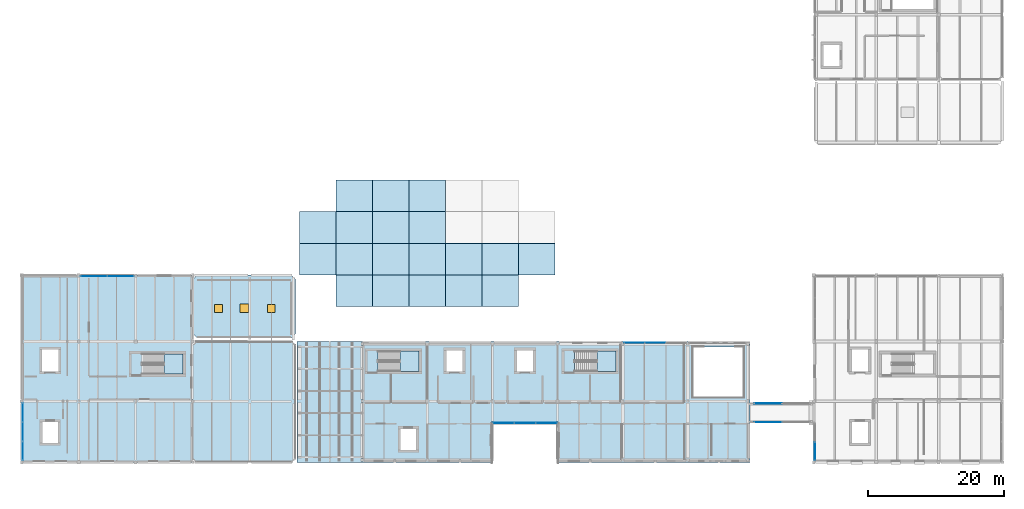
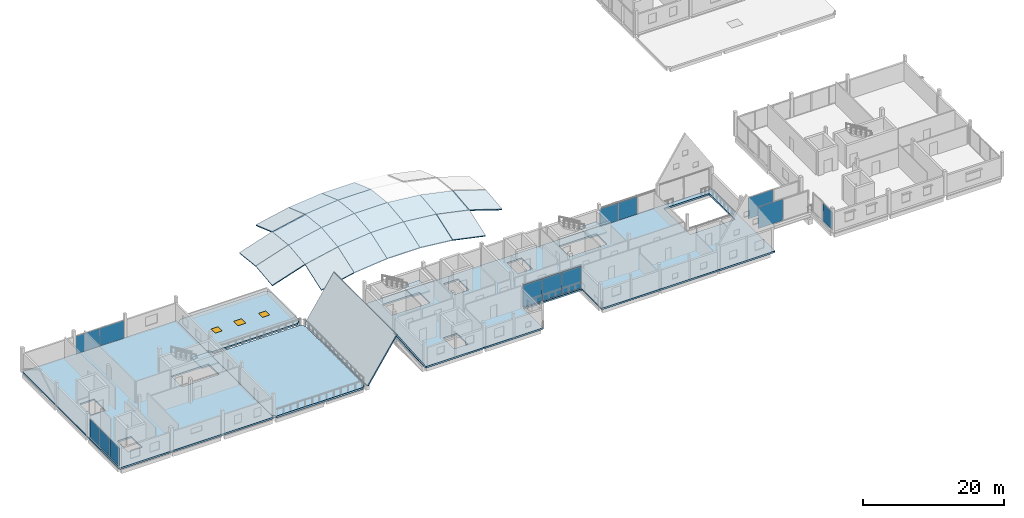
# One storey, part 15 of 35: 28 slabs, 13 plates, 3 windows, 3 openings, 12 elements without a shape of their own.
"""IFC4 building model written with IfcOpenShell, lengths in metres."""

from ifc_helpers import new_model, si_unit, direction, frame, origin, origin_2d, place, context, subcontext, project, spatial, polyline, rectangle, outline, extrude, material, layer, layer_set, type_object, element, fill, aggregate, save


model = new_model("IFC4")

# Units and contexts
model_context = context("Model", 3, precision=1e-05, world=origin(), true_north=direction((0.0, 1.0)))
body_context = subcontext(model_context, "Body", "Model", "MODEL_VIEW")
ifc_project = project(units=[si_unit("LENGTHUNIT", "METRE"), si_unit("AREAUNIT", "SQUARE_METRE"), si_unit("VOLUMEUNIT", "CUBIC_METRE"), si_unit("PLANEANGLEUNIT", "RADIAN"), si_unit("MASSUNIT", "GRAM", prefix="KILO")], contexts=[model_context])

# Site, building, storey
site_placement = place(None, origin())
site = spatial("IfcSite", under=ifc_project, at=site_placement, CompositionType="ELEMENT")
building_placement = place(site_placement, origin())
building = spatial("IfcBuilding", under=site, at=building_placement, Name="Birchvale Park Specialist Clinic", CompositionType="ELEMENT")
storey_placement = place(building_placement, frame((0.0, 0.0, 13.800048828125)))
storey = spatial("IfcBuildingStorey", under=building, at=storey_placement, Name="L03", CompositionType="ELEMENT", Elevation=13.800048828125)

# Curtain wall, plates
ifc_material_1 = material(Name="Thermally broken anodised aluminium", Category="aluminium")
ifc_layer_1 = layer(ifc_material_1, 0.179931640625)
ifc_layer_set_1 = layer_set([ifc_layer_1], Name="Thermally broken anodised aluminium")
curtain_wall_type_1 = type_object("IfcCurtainWallType", Name="CW-U1", PredefinedType="USERDEFINED", material=ifc_layer_set_1)
curtain_wall_1_placement = place(storey_placement, origin())
curtain_wall_1 = element("IfcCurtainWall", 1, at=curtain_wall_1_placement, inside=storey, type_object=curtain_wall_type_1, Name="V4 L03 glazed curtain wall 122", ObjectType="UNITISED", PredefinedType="USERDEFINED")
ifc_material_2 = material(Name="Solar-control low-E double glazing", Category="glass")
ifc_layer_2 = layer(ifc_material_2, 0.028076171875)
ifc_layer_set_2 = layer_set([ifc_layer_2], Name="Solar-control low-E double glazing")
plate_type_1 = type_object("IfcPlateType", Name="CWP1", PredefinedType="CURTAIN_PANEL", material=ifc_layer_set_2)
plate_1_placement = place(storey_placement, frame((82.215087890625, 22.590087890625, 0.06005859375), z_axis=(0.0, 0.0, 1.0), x_axis=(1.0, 0.0, 0.0)))
plate_1 = element("IfcPlate", 2, at=plate_1_placement, type_object=plate_type_1, Name="CW panel 1.1", PredefinedType="CURTAIN_PANEL", context=body_context, shape_type="SweptSolid", body=[
    extrude(rectangle(XDim=3.110107421875, YDim=0.028076171875, at=origin_2d()), origin(), (0.0, 0.0, 1.0), 3.800048828125),
])
plate_2_placement = place(storey_placement, frame((85.39990234375, 22.590087890625, 0.06005859375), z_axis=(0.0, 0.0, 1.0), x_axis=(1.0, 0.0, 0.0)))
plate_2 = element("IfcPlate", 3, at=plate_2_placement, type_object=plate_type_1, Name="CW panel 2.1", PredefinedType="CURTAIN_PANEL", context=body_context, shape_type="SweptSolid", body=[
    extrude(rectangle(XDim=3.139892578125, YDim=0.028076171875, at=origin_2d()), origin(), (0.0, 0.0, 1.0), 3.800048828125),
])
plate_3_placement = place(storey_placement, frame((88.5849609375, 22.590087890625, 0.06005859375), z_axis=(0.0, 0.0, 1.0), x_axis=(1.0, 0.0, 0.0)))
plate_3 = element("IfcPlate", 4, at=plate_3_placement, type_object=plate_type_1, Name="CW panel 3.1", PredefinedType="CURTAIN_PANEL", context=body_context, shape_type="SweptSolid", body=[
    extrude(rectangle(XDim=3.110107421875, YDim=0.028076171875, at=origin_2d()), origin(), (0.0, 0.0, 1.0), 3.800048828125),
])
aggregate(curtain_wall_1, [plate_1, plate_2, plate_3])

curtain_wall_2_placement = place(storey_placement, origin())
curtain_wall_2 = element("IfcCurtainWall", 5, at=curtain_wall_2_placement, inside=storey, type_object=curtain_wall_type_1, Name="V4 L03 glazed curtain wall 124", ObjectType="UNITISED", PredefinedType="USERDEFINED")
plate_4_placement = place(storey_placement, frame((104.60009765625, 34.409912109375, 0.06005859375), z_axis=(0.0, 0.0, 1.0), x_axis=(-1.0, 0.0, 0.0)))
plate_4 = element("IfcPlate", 6, at=plate_4_placement, type_object=plate_type_1, Name="CW panel 2.1", PredefinedType="CURTAIN_PANEL", context=body_context, shape_type="SweptSolid", body=[
    extrude(rectangle(XDim=3.0166015625, YDim=0.028076171875, at=origin_2d()), origin(), (0.0, 0.0, 1.0), 3.06494140625),
])
plate_5_placement = place(storey_placement, frame((101.538330078125, 34.409912109375, 0.06005859375), z_axis=(0.0, 0.0, 1.0), x_axis=(-1.0, 0.0, 0.0)))
plate_5 = element("IfcPlate", 7, at=plate_5_placement, type_object=plate_type_1, Name="CW panel 3.1", PredefinedType="CURTAIN_PANEL", context=body_context, shape_type="SweptSolid", body=[
    extrude(rectangle(XDim=2.986572265625, YDim=0.028076171875, at=origin_2d()), origin(), (0.0, 0.0, 1.0), 3.06494140625),
])
aggregate(curtain_wall_2, [plate_4, plate_5])

ifc_layer_3 = layer(ifc_material_1, 0.195068359375)
ifc_layer_set_3 = layer_set([ifc_layer_3], Name="Thermally broken anodised aluminium")
curtain_wall_type_2 = type_object("IfcCurtainWallType", Name="CW-U2", PredefinedType="USERDEFINED", material=ifc_layer_set_3)
curtain_wall_3_placement = place(storey_placement, origin())
curtain_wall_3 = element("IfcCurtainWall", 8, at=curtain_wall_3_placement, inside=storey, type_object=curtain_wall_type_2, Name="V2 L03 glazed curtain wall 120", ObjectType="UNITISED", PredefinedType="USERDEFINED")
ifc_layer_4 = layer(ifc_material_2, 0.031982421875)
ifc_layer_set_4 = layer_set([ifc_layer_4], Name="Solar-control low-E double glazing")
plate_type_2 = type_object("IfcPlateType", Name="CWP2", PredefinedType="CURTAIN_PANEL", material=ifc_layer_set_4)
plate_6_placement = place(storey_placement, frame((25.7900390625, 44.2451171875, 0.06494140625), z_axis=(0.0, 0.0, 1.0), x_axis=(-1.0, 0.0, 0.0)))
plate_6 = element("IfcPlate", 9, at=plate_6_placement, type_object=plate_type_2, Name="CW panel 1.1", PredefinedType="CURTAIN_PANEL", context=body_context, shape_type="SweptSolid", body=[
    extrude(rectangle(XDim=3.889892578125, YDim=0.031982421875, at=origin_2d()), origin(), (0.0, 0.0, 1.0), 3.094970703125),
])
plate_7_placement = place(storey_placement, frame((21.8349609375, 44.2451171875, 0.06494140625), z_axis=(0.0, 0.0, 1.0), x_axis=(-1.0, 0.0, 0.0)))
plate_7 = element("IfcPlate", 10, at=plate_7_placement, type_object=plate_type_2, Name="CW panel 2.1", PredefinedType="CURTAIN_PANEL", context=body_context, shape_type="SweptSolid", body=[
    extrude(rectangle(XDim=3.889892578125, YDim=0.031982421875, at=origin_2d()), origin(), (0.0, 0.0, 1.0), 3.094970703125),
])
aggregate(curtain_wall_3, [plate_6, plate_7])

curtain_wall_4_placement = place(storey_placement, origin())
curtain_wall_4 = element("IfcCurtainWall", 11, at=curtain_wall_4_placement, inside=storey, type_object=curtain_wall_type_2, Name="V2 L03 glazed curtain wall 121", ObjectType="UNITISED", PredefinedType="USERDEFINED")
plate_8_placement = place(storey_placement, frame((11.35498046875, 24.1337890625, 0.06494140625), z_axis=(0.0, 0.0, 1.0), x_axis=(0.0, -1.0, 0.0)))
plate_8 = element("IfcPlate", 12, at=plate_8_placement, type_object=plate_type_2, Name="CW panel 1.1", PredefinedType="CURTAIN_PANEL", context=body_context, shape_type="SweptSolid", body=[
    extrude(rectangle(XDim=2.75244140625, YDim=0.031982421875, at=origin_2d()), origin(), (0.0, 0.0, 1.0), 3.135009765625),
])
plate_9_placement = place(storey_placement, frame((11.35498046875, 21.300048828125, 0.06494140625), z_axis=(0.0, 0.0, 1.0), x_axis=(0.0, -1.0, 0.0)))
plate_9 = element("IfcPlate", 13, at=plate_9_placement, type_object=plate_type_2, Name="CW panel 2.1", PredefinedType="CURTAIN_PANEL", context=body_context, shape_type="SweptSolid", body=[
    extrude(rectangle(XDim=2.784912109375, YDim=0.031982421875, at=origin_2d()), origin(), (0.0, 0.0, 1.0), 3.135009765625),
])
plate_10_placement = place(storey_placement, frame((11.35498046875, 18.46630859375, 0.06494140625), z_axis=(0.0, 0.0, 1.0), x_axis=(0.0, -1.0, 0.0)))
plate_10 = element("IfcPlate", 14, at=plate_10_placement, type_object=plate_type_2, Name="CW panel 3.1", PredefinedType="CURTAIN_PANEL", context=body_context, shape_type="SweptSolid", body=[
    extrude(rectangle(XDim=2.75244140625, YDim=0.031982421875, at=origin_2d()), origin(), (0.0, 0.0, 1.0), 3.135009765625),
])
aggregate(curtain_wall_4, [plate_8, plate_9, plate_10])

# Curtain wall, plate
curtain_wall_5_placement = place(storey_placement, origin())
curtain_wall_5 = element("IfcCurtainWall", 15, at=curtain_wall_5_placement, inside=storey, type_object=curtain_wall_type_2, Name="V5 L03 glazed curtain wall 129", ObjectType="UNITISED", PredefinedType="USERDEFINED")
plate_11_placement = place(storey_placement, frame((128.175048828125, 18.422607421875, 0.06494140625), z_axis=(0.0, 0.0, 1.0), x_axis=(0.0, -1.0, 0.0)))
plate_11 = element("IfcPlate", 16, at=plate_11_placement, type_object=plate_type_2, Name="CW panel 2.1", PredefinedType="CURTAIN_PANEL", context=body_context, shape_type="SweptSolid", body=[
    extrude(rectangle(XDim=2.6650390625, YDim=0.031982421875, at=origin_2d()), origin(), (0.0, 0.0, 1.0), 3.135009765625),
])
aggregate(curtain_wall_5, [plate_11])

ifc_layer_5 = layer(ifc_material_1, 0.14990234375)
ifc_layer_set_5 = layer_set([ifc_layer_5], Name="Thermally broken anodised aluminium")
curtain_wall_type_3 = type_object("IfcCurtainWallType", Name="CW-S2", PredefinedType="USERDEFINED", material=ifc_layer_set_5)
curtain_wall_6_placement = place(storey_placement, origin())
curtain_wall_6 = element("IfcCurtainWall", 17, at=curtain_wall_6_placement, inside=storey, type_object=curtain_wall_type_3, Name="V4 L03 glazed curtain wall 155", ObjectType="STICK", PredefinedType="USERDEFINED")
plate_12_placement = place(storey_placement, frame((121.239990234375, 22.719970703125, 0.06494140625), z_axis=(0.0, 0.0, 1.0), x_axis=(1.0, 0.0, 0.0)))
plate_12 = element("IfcPlate", 18, at=plate_12_placement, type_object=plate_type_2, Name="CW panel 1.1", PredefinedType="CURTAIN_PANEL", context=body_context, shape_type="SweptSolid", body=[
    extrude(rectangle(XDim=4.06005859375, YDim=0.031982421875, at=origin_2d()), origin(), (0.0, 0.0, 1.0), 3.68994140625),
])
aggregate(curtain_wall_6, [plate_12])

curtain_wall_7_placement = place(storey_placement, origin())
curtain_wall_7 = element("IfcCurtainWall", 19, at=curtain_wall_7_placement, inside=storey, type_object=curtain_wall_type_3, Name="V4 L03 glazed curtain wall 156", ObjectType="STICK", PredefinedType="USERDEFINED")
plate_13_placement = place(storey_placement, frame((121.239990234375, 25.47998046875, 0.06494140625), z_axis=(0.0, 0.0, 1.0), x_axis=(-1.0, 0.0, 0.0)))
plate_13 = element("IfcPlate", 20, at=plate_13_placement, type_object=plate_type_2, Name="CW panel 2.1", PredefinedType="CURTAIN_PANEL", context=body_context, shape_type="SweptSolid", body=[
    extrude(rectangle(XDim=4.06005859375, YDim=0.031982421875, at=origin_2d()), origin(), (0.0, 0.0, 1.0), 3.68994140625),
])
aggregate(curtain_wall_7, [plate_13])

# Slabs
ifc_material_3 = material(Name="Concrete C35/45", Category="concrete")
ifc_layer_6 = layer(ifc_material_3, 0.31005859375)
ifc_layer_set_6 = layer_set([ifc_layer_6], Name="Concrete C35/45")
slab_type_1 = type_object("IfcSlabType", Name="SLB-ES1", PredefinedType="FLOOR", material=ifc_layer_set_6)
slab_1_placement = place(storey_placement, frame((0.0, 0.0, -0.31005859375)))
element("IfcSlab", 21, at=slab_1_placement, inside=storey, type_object=slab_type_1, Name="V2 L03 outdoor terrace slab 1", PredefinedType="FLOOR", context=body_context, shape_type="SweptSolid", body=[
    extrude(outline(polyline([(36.949951171875, 16.800048828125), (51.050048828125, 16.800048828125), (51.60009765625, 17.35009765625), (51.60009765625, 34.050048828125), (51.050048828125, 34.60009765625), (36.949951171875, 34.60009765625), (36.39990234375, 34.050048828125), (36.39990234375, 17.35009765625), (36.949951171875, 16.800048828125)])), origin(), (0.0, 0.0, 1.0), 0.31005859375),
])
ifc_layer_7 = layer(ifc_material_3, 0.280029296875)
ifc_layer_set_7 = layer_set([ifc_layer_7], Name="Concrete C35/45")
slab_type_2 = type_object("IfcSlabType", Name="SLB-FS4", PredefinedType="FLOOR", material=ifc_layer_set_7)
slab_2_placement = place(storey_placement, frame((0.0, 0.0, -0.280029296875)))
element("IfcSlab", 22, at=slab_2_placement, inside=storey, type_object=slab_type_2, Name="V2 L03 structural slab 1", PredefinedType="FLOOR", context=body_context, shape_type="SweptSolid", body=[
    extrude(outline(polyline([(11.199951171875, 16.800048828125), (36.39990234375, 16.800048828125), (36.39990234375, 44.39990234375), (11.199951171875, 44.39990234375), (11.199951171875, 16.800048828125)]), holes=[polyline([(28.905029296875, 29.800048828125), (35.0, 29.800048828125), (35.0, 32.800048828125), (28.905029296875, 32.800048828125), (28.905029296875, 29.800048828125)]), polyline([(14.25, 19.64990234375), (16.550048828125, 19.64990234375), (16.550048828125, 22.75), (14.25, 22.75), (14.25, 19.64990234375)]), polyline([(14.199951171875, 30.199951171875), (16.60009765625, 30.199951171875), (16.60009765625, 33.39990234375), (14.199951171875, 33.39990234375), (14.199951171875, 30.199951171875)])]), origin(), (0.0, 0.0, 1.0), 0.280029296875),
])
slab_3_placement = place(storey_placement, frame((0.0, 0.0, -0.280029296875)))
element("IfcSlab", 23, at=slab_3_placement, inside=storey, type_object=slab_type_2, Name="V4 L03 structural slab 1", PredefinedType="FLOOR", context=body_context, shape_type="SweptSolid", body=[
    extrude(outline(polyline([(61.39990234375, 16.800048828125), (80.60009765625, 16.800048828125), (80.60009765625, 22.39990234375), (90.199951171875, 22.39990234375), (90.199951171875, 16.800048828125), (118.60009765625, 16.800048828125), (118.60009765625, 34.60009765625), (61.39990234375, 34.60009765625), (61.39990234375, 16.800048828125)]), holes=[polyline([(110.199951171875, 26.39990234375), (117.60009765625, 26.39990234375), (117.60009765625, 33.800048828125), (110.199951171875, 33.800048828125), (110.199951171875, 26.39990234375)]), polyline([(63.705078125, 30.199951171875), (69.800048828125, 30.199951171875), (69.800048828125, 33.199951171875), (63.705078125, 33.199951171875), (63.705078125, 30.199951171875)]), polyline([(92.705078125, 30.199951171875), (98.800048828125, 30.199951171875), (98.800048828125, 33.199951171875), (92.705078125, 33.199951171875), (92.705078125, 30.199951171875)]), polyline([(73.800048828125, 30.199951171875), (76.199951171875, 30.199951171875), (76.199951171875, 33.300048828125), (73.800048828125, 33.300048828125), (73.800048828125, 30.199951171875)]), polyline([(84.199951171875, 30.199951171875), (86.60009765625, 30.199951171875), (86.60009765625, 33.300048828125), (84.199951171875, 33.300048828125), (84.199951171875, 30.199951171875)]), polyline([(67.050048828125, 18.64990234375), (69.35009765625, 18.64990234375), (69.35009765625, 21.75), (67.050048828125, 21.75), (67.050048828125, 18.64990234375)])]), origin(), (0.0, 0.0, 1.0), 0.280029296875),
])

# Stair, slab
stair_type = type_object("IfcStairType", Name="ST-H42", PredefinedType="HALF_TURN_STAIR", material=ifc_material_3)
stair_1_placement = place(storey_placement, origin())
stair_1 = element("IfcStair", 24, at=stair_1_placement, inside=storey, type_object=stair_type, Name="L03 Protected exit stair ST2", PredefinedType="HALF_TURN_STAIR")
ifc_layer_8 = layer(ifc_material_3, 0.199951171875)
ifc_layer_set_8 = layer_set([ifc_layer_8], Name="Concrete C35/45")
slab_type_3 = type_object("IfcSlabType", Name="SLB-LND1", PredefinedType="LANDING", material=ifc_layer_set_8)
slab_4_placement = place(storey_placement, frame((0.0, 0.0, 1.89990234375)))
slab_4 = element("IfcSlab", 25, at=slab_4_placement, type_object=slab_type_3, Name="ST2 landing 1", PredefinedType="LANDING", context=body_context, shape_type="SweptSolid", body=[
    extrude(outline(polyline([(32.199951171875, 29.800048828125), (35.0, 29.800048828125), (35.0, 32.800048828125), (32.199951171875, 32.800048828125), (32.199951171875, 29.800048828125)])), origin(), (0.0, 0.0, 1.0), 0.199951171875),
])
aggregate(stair_1, [slab_4])

stair_2_placement = place(storey_placement, origin())
stair_2 = element("IfcStair", 26, at=stair_2_placement, inside=storey, type_object=stair_type, Name="L03 Protected exit stair ST4", PredefinedType="HALF_TURN_STAIR")
slab_5_placement = place(storey_placement, frame((0.0, 0.0, 1.89990234375)))
slab_5 = element("IfcSlab", 27, at=slab_5_placement, type_object=slab_type_3, Name="ST4 landing 1", PredefinedType="LANDING", context=body_context, shape_type="SweptSolid", body=[
    extrude(outline(polyline([(67.0, 30.199951171875), (69.800048828125, 30.199951171875), (69.800048828125, 33.199951171875), (67.0, 33.199951171875), (67.0, 30.199951171875)])), origin(), (0.0, 0.0, 1.0), 0.199951171875),
])
aggregate(stair_2, [slab_5])

stair_3_placement = place(storey_placement, origin())
stair_3 = element("IfcStair", 28, at=stair_3_placement, inside=storey, type_object=stair_type, Name="L03 Protected exit stair ST5", PredefinedType="HALF_TURN_STAIR")
slab_6_placement = place(storey_placement, frame((0.0, 0.0, 1.89990234375)))
slab_6 = element("IfcSlab", 29, at=slab_6_placement, type_object=slab_type_3, Name="ST5 landing 1", PredefinedType="LANDING", context=body_context, shape_type="SweptSolid", body=[
    extrude(outline(polyline([(96.0, 30.199951171875), (98.800048828125, 30.199951171875), (98.800048828125, 33.199951171875), (96.0, 33.199951171875), (96.0, 30.199951171875)])), origin(), (0.0, 0.0, 1.0), 0.199951171875),
])
aggregate(stair_3, [slab_6])

# Roof, slabs
ifc_material_4 = material(Name="Standing-seam titanium-zinc roofing")
roof_type_1 = type_object("IfcRoofType", Name="ROOF-GBL1", PredefinedType="GABLE_ROOF", material=ifc_material_4)
roof_1_placement = place(storey_placement, origin())
roof_1 = element("IfcRoof", 30, at=roof_1_placement, inside=storey, type_object=roof_type_1, Name="L03 house-shaped gable roof V4-B1", PredefinedType="GABLE_ROOF")
ifc_layer_9 = layer(ifc_material_3, 0.2099609375)
ifc_layer_set_9 = layer_set([ifc_layer_9], Name="Concrete C35/45")
slab_type_4 = type_object("IfcSlabType", Name="SLB-RS1", PredefinedType="ROOF", material=ifc_layer_set_9)
slab_7_placement = place(storey_placement, frame((51.800048828125, 16.800048828125, 0.0), z_axis=(-0.8355596189, 0.0, 0.549399784551), x_axis=(0.549399784551, 0.0, 0.8355596189)))
slab_7 = element("IfcSlab", 31, at=slab_7_placement, type_object=slab_type_4, Name="L03 gable roof deck V4-B1 W", PredefinedType="ROOF", context=body_context, shape_type="SweptSolid", body=[
    extrude(outline(polyline([(0.0, 0.0), (8.649353819619332, 0.0), (8.649353819619332, 17.800048828125), (0.0, 17.800048828125), (0.0, 0.0)])), origin(), (0.0, 0.0, -1.0), 0.2099609375),
])
slab_8_placement = place(storey_placement, frame((56.64794921875, 16.800048828125, 7.22705078125), z_axis=(0.8355596189, 0.0, 0.549399784551), x_axis=(0.549399784551, 0.0, -0.8355596189)))
slab_8 = element("IfcSlab", 32, at=slab_8_placement, type_object=slab_type_4, Name="L03 gable roof deck V4-B1 E", PredefinedType="ROOF", context=body_context, shape_type="SweptSolid", body=[
    extrude(outline(polyline([(0.0, 0.0), (8.649353819619332, 0.0), (8.649353819619332, 17.800048828125), (0.0, 17.800048828125), (0.0, 0.0)])), origin(), (0.0, 0.0, -1.0), 0.2099609375),
])
aggregate(roof_1, [slab_7, slab_8])

ifc_material_5 = material(Name="Glulam GL28h", Category="wood")
roof_type_2 = type_object("IfcRoofType", Name="ROOF-SHL1", PredefinedType="BARREL_ROOF", material=ifc_material_5)
roof_2_placement = place(storey_placement, origin())
roof_2 = element("IfcRoof", 33, at=roof_2_placement, inside=storey, type_object=roof_type_2, Name="V1 translational glulam-and-steel gridshell roof (L03)", PredefinedType="BARREL_ROOF")
ifc_layer_10 = layer(ifc_material_3, 0.179931640625)
ifc_layer_set_10 = layer_set([ifc_layer_10], Name="Concrete C35/45")
slab_type_5 = type_object("IfcSlabType", Name="SLB-RS3", PredefinedType="ROOF", material=ifc_layer_set_10)
slab_9_placement = place(storey_placement, frame((52.14990234375, 44.449951171875, 0.544921875), z_axis=(-0.309458914408, -0.105312990618, 0.945063148314), x_axis=(0.950347984596, -2.143842e-06, 0.31118918389)))
slab_9 = element("IfcSlab", 34, at=slab_9_placement, type_object=slab_type_5, Name="V1 gridshell planar roof cassette 3", PredefinedType="ROOF", context=body_context, shape_type="SweptSolid", body=[
    extrude(outline(polyline([(0.0, 0.0), (5.667088870952293, -2.7755575615628914e-17), (5.828371537855971, 4.67616253323113), (0.16120669298182927, 4.676138098501682), (0.0, 0.0)])), origin(), (0.0, 0.0, -1.0), 0.179931640625),
])
slab_10_placement = place(storey_placement, frame((52.14990234375, 49.10009765625, 1.06298828125), z_axis=(-0.3094587342, 0.105318458689, 0.945062597973), x_axis=(0.950347843286, -2.143923e-06, 0.311189615438)))
slab_10 = element("IfcSlab", 35, at=slab_10_placement, type_object=slab_type_5, Name="V1 gridshell planar roof cassette 4", PredefinedType="ROOF", context=body_context, shape_type="SweptSolid", body=[
    extrude(outline(polyline([(0.0, 0.0), (5.667164844926821, 0.0), (5.505862016132498, 4.67591905549355), (-0.16122685476711596, 4.675894619822989), (0.0, 0.0)])), origin(), (0.0, 0.0, -1.0), 0.179931640625),
])
slab_11_placement = place(storey_placement, frame((57.53564453125, 39.800048828125, 0.668701171875), z_axis=(-0.196065283594, -0.326096207174, 0.924780875795), x_axis=(0.978255668957, 0.0, 0.207402618482)))
slab_11 = element("IfcSlab", 36, at=slab_11_placement, type_object=slab_type_5, Name="V1 gridshell planar roof cassette 8", PredefinedType="ROOF", context=body_context, shape_type="SweptSolid", body=[
    extrude(outline(polyline([(0.0, 0.0), (5.505454615194127, -1.1102230246251565e-16), (5.845521994521525, 4.918779623293295), (0.34006737932739806, 4.918779623293295), (0.0, 0.0)])), origin(), (0.0, 0.0, -1.0), 0.179931640625),
])
slab_12_placement = place(storey_placement, frame((57.53564453125, 44.449951171875, 2.308349609375), z_axis=(-0.206180581908, -0.108395015442, 0.972491690592), x_axis=(0.978255668957, 0.0, 0.207402618482)))
slab_12 = element("IfcSlab", 37, at=slab_12_placement, type_object=slab_type_5, Name="V1 gridshell planar roof cassette 9", PredefinedType="ROOF", context=body_context, shape_type="SweptSolid", body=[
    extrude(outline(polyline([(0.0, 0.0), (5.505454615194127, -1.3877787807814457e-17), (5.612953579802833, 4.677707998769813), (0.10749896460870549, 4.677707998769814), (0.0, 0.0)])), origin(), (0.0, 0.0, -1.0), 0.179931640625),
])
slab_13_placement = place(storey_placement, frame((57.53564453125, 49.10009765625, 2.82666015625), z_axis=(-0.206180454712, 0.10840063979, 0.972491090647), x_axis=(0.978255668957, 0.0, 0.207402618482)))
slab_13 = element("IfcSlab", 38, at=slab_13_placement, type_object=slab_type_5, Name="V1 gridshell planar roof cassette 10", PredefinedType="ROOF", context=body_context, shape_type="SweptSolid", body=[
    extrude(outline(polyline([(0.0, 0.0), (5.505454615194127, 1.3877787807814457e-17), (5.397955650585422, 4.677465296720186), (-0.10749896460870549, 4.677465296720186), (0.0, 0.0)])), origin(), (0.0, 0.0, -1.0), 0.179931640625),
])
slab_14_placement = place(storey_placement, frame((57.53564453125, 53.75, 2.308349609375), z_axis=(-0.196065283594, 0.326096207174, 0.924780875795), x_axis=(0.978255668957, 0.0, 0.207402618482)))
slab_14 = element("IfcSlab", 39, at=slab_14_placement, type_object=slab_type_5, Name="V1 gridshell planar roof cassette 11", PredefinedType="ROOF", context=body_context, shape_type="SweptSolid", body=[
    extrude(outline(polyline([(0.0, 0.0), (5.505454615194127, 1.1102230246251565e-16), (5.16538723586673, 4.918779623293294), (-0.34006737932739806, 4.918779623293295), (0.0, 0.0)])), origin(), (0.0, 0.0, -1.0), 0.179931640625),
])
slab_15_placement = place(storey_placement, frame((62.92138671875, 39.800048828125, 1.810546875), z_axis=(-0.097897356315, -0.330953334302, 0.938555271756), x_axis=(0.994604073977, 0.0, 0.103743607172)))
slab_15 = element("IfcSlab", 40, at=slab_15_placement, type_object=slab_type_5, Name="V1 gridshell planar roof cassette 14", PredefinedType="ROOF", context=body_context, shape_type="SweptSolid", body=[
    extrude(outline(polyline([(0.0, 0.0), (5.41496091602236, 2.7755575615628914e-17), (5.58506395942298, 4.9275859971829785), (0.17010304340062052, 4.927585997182979), (0.0, 0.0)])), origin(), (0.0, 0.0, -1.0), 0.179931640625),
])
slab_16_placement = place(storey_placement, frame((62.92138671875, 44.449951171875, 3.4501953125), z_axis=(-0.103111925978, -0.110184676448, 0.988548060439), x_axis=(0.994604073977, 0.0, 0.103743607172)))
slab_16 = element("IfcSlab", 41, at=slab_16_placement, type_object=slab_type_5, Name="V1 gridshell planar roof cassette 15", PredefinedType="ROOF", context=body_context, shape_type="SweptSolid", body=[
    extrude(outline(polyline([(0.0, 0.0), (5.41496091602236, 6.938893903907228e-18), (5.468732321790602, 4.678634072575963), (0.05377140576824261, 4.678634072575963), (0.0, 0.0)])), origin(), (0.0, 0.0, -1.0), 0.179931640625),
])
slab_17_placement = place(storey_placement, frame((62.92138671875, 49.10009765625, 3.968505859375), z_axis=(-0.103111860249, 0.110190391394, 0.988547430284), x_axis=(0.994604073977, 0.0, 0.103743607172)))
slab_17 = element("IfcSlab", 42, at=slab_17_placement, type_object=slab_type_5, Name="V1 gridshell planar roof cassette 16", PredefinedType="ROOF", context=body_context, shape_type="SweptSolid", body=[
    extrude(outline(polyline([(0.0, 0.0), (5.41496091602236, 0.0), (5.361189510254117, 4.678391418568492), (-0.05377140576824261, 4.678391418568492), (0.0, 0.0)])), origin(), (0.0, 0.0, -1.0), 0.179931640625),
])
slab_18_placement = place(storey_placement, frame((62.92138671875, 53.75, 3.4501953125), z_axis=(-0.097897356315, 0.330953334302, 0.938555271756), x_axis=(0.994604073977, 0.0, 0.103743607172)))
slab_18 = element("IfcSlab", 43, at=slab_18_placement, type_object=slab_type_5, Name="V1 gridshell planar roof cassette 17", PredefinedType="ROOF", context=body_context, shape_type="SweptSolid", body=[
    extrude(outline(polyline([(0.0, 0.0), (5.41496091602236, -2.7755575615628914e-17), (5.244857872621739, 4.927585997182979), (-0.17010304340062052, 4.927585997182979), (0.0, 0.0)])), origin(), (0.0, 0.0, -1.0), 0.179931640625),
])
slab_19_placement = place(storey_placement, frame((68.30712890625, 39.800048828125, 2.372314453125), z_axis=(0.0, -0.33255073608, 0.943085366196), x_axis=(1.0, 0.0, 0.0)))
slab_19 = element("IfcSlab", 44, at=slab_19_placement, type_object=slab_type_5, Name="V1 gridshell planar roof cassette 20", PredefinedType="ROOF", context=body_context, shape_type="SweptSolid", body=[
    extrude(outline(polyline([(0.0, 0.0), (5.3857421875, 0.0), (5.3857421875, 4.930521149433185), (0.0, 4.930521149433185), (0.0, 0.0)])), origin(), (0.0, 0.0, -1.0), 0.179931640625),
])
slab_20_placement = place(storey_placement, frame((68.30712890625, 44.449951171875, 4.011962890625), z_axis=(0.0, -0.110775134543, 0.993845495823), x_axis=(1.0, 0.0, 0.0)))
slab_20 = element("IfcSlab", 45, at=slab_20_placement, type_object=slab_type_5, Name="V1 gridshell planar roof cassette 21", PredefinedType="ROOF", context=body_context, shape_type="SweptSolid", body=[
    extrude(outline(polyline([(0.0, 0.0), (5.3857421875, 0.0), (5.3857421875, 4.6789430589767855), (0.0, 4.6789430589767855), (0.0, 0.0)])), origin(), (0.0, 0.0, -1.0), 0.179931640625),
])
slab_21_placement = place(storey_placement, frame((68.30712890625, 49.10009765625, 4.5302734375), z_axis=(0.0, 0.110780879355, 0.993844855483), x_axis=(1.0, 0.0, 0.0)))
slab_21 = element("IfcSlab", 46, at=slab_21_placement, type_object=slab_type_5, Name="V1 gridshell planar roof cassette 22", PredefinedType="ROOF", context=body_context, shape_type="SweptSolid", body=[
    extrude(outline(polyline([(0.0, 0.0), (5.3857421875, 0.0), (5.3857421875, 4.6787004209944465), (0.0, 4.6787004209944465), (0.0, 0.0)])), origin(), (0.0, 0.0, -1.0), 0.179931640625),
])
slab_22_placement = place(storey_placement, frame((68.30712890625, 53.75, 4.011962890625), z_axis=(0.0, 0.33255073608, 0.943085366196), x_axis=(1.0, 0.0, 0.0)))
slab_22 = element("IfcSlab", 47, at=slab_22_placement, type_object=slab_type_5, Name="V1 gridshell planar roof cassette 23", PredefinedType="ROOF", context=body_context, shape_type="SweptSolid", body=[
    extrude(outline(polyline([(0.0, 0.0), (5.3857421875, 0.0), (5.3857421875, 4.930521149433185), (0.0, 4.930521149433185), (0.0, 0.0)])), origin(), (0.0, 0.0, -1.0), 0.179931640625),
])
slab_23_placement = place(storey_placement, frame((73.69287109375, 39.800048828125, 2.372314453125), z_axis=(0.097897356315, -0.330953334302, 0.938555271756), x_axis=(0.994604073977, 0.0, -0.103743607172)))
slab_23 = element("IfcSlab", 48, at=slab_23_placement, type_object=slab_type_5, Name="V1 gridshell planar roof cassette 26", PredefinedType="ROOF", context=body_context, shape_type="SweptSolid", body=[
    extrude(outline(polyline([(0.0, 0.0), (5.41496091602236, -2.7755575615628914e-17), (5.244857872621739, 4.927585997182979), (-0.17010304340062052, 4.927585997182979), (0.0, 0.0)])), origin(), (0.0, 0.0, -1.0), 0.179931640625),
])
slab_24_placement = place(storey_placement, frame((73.69287109375, 44.449951171875, 4.011962890625), z_axis=(0.103111925978, -0.110184676448, 0.988548060439), x_axis=(0.994604073977, 0.0, -0.103743607172)))
slab_24 = element("IfcSlab", 49, at=slab_24_placement, type_object=slab_type_5, Name="V1 gridshell planar roof cassette 27", PredefinedType="ROOF", context=body_context, shape_type="SweptSolid", body=[
    extrude(outline(polyline([(0.0, 0.0), (5.41496091602236, -6.938893903907228e-18), (5.361189510254117, 4.678634072575963), (-0.05377140576824261, 4.678634072575963), (0.0, 0.0)])), origin(), (0.0, 0.0, -1.0), 0.179931640625),
])
slab_25_placement = place(storey_placement, frame((79.07861328125, 39.800048828125, 1.810546875), z_axis=(0.196065283594, -0.326096207174, 0.924780875795), x_axis=(0.978255668957, 0.0, -0.207402618482)))
slab_25 = element("IfcSlab", 50, at=slab_25_placement, type_object=slab_type_5, Name="V1 gridshell planar roof cassette 32", PredefinedType="ROOF", context=body_context, shape_type="SweptSolid", body=[
    extrude(outline(polyline([(0.0, 0.0), (5.505454615194127, 1.1102230246251565e-16), (5.16538723586673, 4.918779623293294), (-0.34006737932739806, 4.918779623293295), (0.0, 0.0)])), origin(), (0.0, 0.0, -1.0), 0.179931640625),
])
slab_26_placement = place(storey_placement, frame((79.07861328125, 44.449951171875, 3.4501953125), z_axis=(0.206180581908, -0.108395015442, 0.972491690592), x_axis=(0.978255668957, 0.0, -0.207402618482)))
slab_26 = element("IfcSlab", 51, at=slab_26_placement, type_object=slab_type_5, Name="V1 gridshell planar roof cassette 33", PredefinedType="ROOF", context=body_context, shape_type="SweptSolid", body=[
    extrude(outline(polyline([(0.0, 0.0), (5.505454615194127, 1.3877787807814457e-17), (5.397955650585422, 4.677707998769814), (-0.10749896460870549, 4.677707998769814), (0.0, 0.0)])), origin(), (0.0, 0.0, -1.0), 0.179931640625),
])
slab_27_placement = place(storey_placement, frame((84.46435546875, 44.449951171875, 2.308349609375), z_axis=(0.309458914408, -0.105312990618, 0.945063148314), x_axis=(0.950347984596, 2.143842e-06, -0.31118918389)))
slab_27 = element("IfcSlab", 52, at=slab_27_placement, type_object=slab_type_5, Name="V1 gridshell planar roof cassette 39", PredefinedType="ROOF", context=body_context, shape_type="SweptSolid", body=[
    extrude(outline(polyline([(0.0, 0.0), (5.667088870952293, 2.7755575615628914e-17), (5.505882177970464, 4.676138098501683), (-0.16128266690367749, 4.67616253323113), (0.0, 0.0)])), origin(), (0.0, 0.0, -1.0), 0.179931640625),
])
aggregate(roof_2, [slab_9, slab_10, slab_11, slab_12, slab_13, slab_14, slab_15, slab_16, slab_17, slab_18, slab_19, slab_20, slab_21, slab_22, slab_23, slab_24, slab_25, slab_26, slab_27])

# Slab, openings, windows
ifc_layer_11 = layer(ifc_material_3, 0.27490234375)
ifc_layer_set_11 = layer_set([ifc_layer_11], Name="Concrete C35/45")
slab_type_6 = type_object("IfcSlabType", Name="SLB-RS4", PredefinedType="ROOF", material=ifc_layer_set_11)
slab_28_placement = place(storey_placement, frame((0.0, 0.0, -0.275146484375)))
slab_28 = element("IfcSlab", 53, at=slab_28_placement, inside=storey, type_object=slab_type_6, Name="V2 L03 flat roof slab SLB-V2-L03-ERF", PredefinedType="ROOF", context=body_context, shape_type="SweptSolid", body=[
    extrude(outline(polyline([(37.050048828125, 35.14990234375), (50.949951171875, 35.14990234375), (51.60009765625, 35.800048828125), (51.60009765625, 43.75), (50.949951171875, 44.39990234375), (37.050048828125, 44.39990234375), (36.39990234375, 43.75), (36.39990234375, 35.800048828125), (37.050048828125, 35.14990234375)])), origin(), (0.0, 0.0, 1.0), 0.275146484375),
])
opening_1_placement = place(slab_28_placement, frame((44.0, 39.5, 0.0)))
opening_1 = element("IfcOpeningElement", 54, at=opening_1_placement, cuts=slab_28, Name="Opening SK-07", PredefinedType="OPENING", context=body_context, shape_type="SweptSolid", body=[
    extrude(rectangle(XDim=1.25, YDim=1.25, at=origin_2d()), frame((0.0, 0.0, -0.010009765625)), (0.0, 0.0, 1.0), 0.295166015625),
])
opening_2_placement = place(slab_28_placement, frame((40.199951171875, 39.5, 0.0)))
opening_2 = element("IfcOpeningElement", 55, at=opening_2_placement, cuts=slab_28, Name="Opening SK-01", PredefinedType="OPENING", context=body_context, shape_type="SweptSolid", body=[
    extrude(rectangle(XDim=1.14990234375, YDim=1.14990234375, at=origin_2d()), frame((0.0, 0.0, -0.010009765625)), (0.0, 0.0, 1.0), 0.295166015625),
])
opening_3_placement = place(slab_28_placement, frame((48.0, 39.5, 0.0)))
opening_3 = element("IfcOpeningElement", 56, at=opening_3_placement, cuts=slab_28, Name="Opening SK-01", PredefinedType="OPENING", context=body_context, shape_type="SweptSolid", body=[
    extrude(rectangle(XDim=1.14990234375, YDim=1.14990234375, at=origin_2d()), frame((0.0, 0.0, -0.010009765625)), (0.0, 0.0, 1.0), 0.295166015625),
])
window_type_1 = type_object("IfcWindowType", Name="WIN-SK-01", PartitioningType="SINGLE_PANEL", PredefinedType="SKYLIGHT", material=ifc_material_2)
window_1_placement = place(opening_2_placement, frame((0.0, 0.0, 0.22509765625)))
window_1 = element("IfcWindow", 57, at=window_1_placement, inside=storey, type_object=window_type_1, Name="L03 roof daylight skylight 39", OverallHeight=1.14990234375, OverallWidth=1.14990234375, PartitioningType="SINGLE_PANEL", PredefinedType="SKYLIGHT", context=body_context, shape_type="SweptSolid", body=[
    extrude(rectangle(XDim=1.14990234375, YDim=1.14990234375, at=origin_2d()), origin(), (0.0, 0.0, 1.0), 0.050048828125),
])
fill(opening_2, window_1)
window_2_placement = place(opening_3_placement, frame((0.0, 0.0, 0.22509765625)))
window_2 = element("IfcWindow", 58, at=window_2_placement, inside=storey, type_object=window_type_1, Name="L03 roof daylight skylight 40", OverallHeight=1.14990234375, OverallWidth=1.14990234375, PartitioningType="SINGLE_PANEL", PredefinedType="SKYLIGHT", context=body_context, shape_type="SweptSolid", body=[
    extrude(rectangle(XDim=1.14990234375, YDim=1.14990234375, at=origin_2d()), origin(), (0.0, 0.0, 1.0), 0.050048828125),
])
fill(opening_3, window_2)
window_type_2 = type_object("IfcWindowType", Name="WIN-SK-07", PartitioningType="SINGLE_PANEL", PredefinedType="SKYLIGHT", material=ifc_material_2)
window_3_placement = place(opening_1_placement, frame((0.0, 0.0, 0.22509765625)))
window_3 = element("IfcWindow", 59, at=window_3_placement, inside=storey, type_object=window_type_2, Name="L03 roof daylight skylight 11", OverallHeight=1.25, OverallWidth=1.25, PartitioningType="SINGLE_PANEL", PredefinedType="SKYLIGHT", context=body_context, shape_type="SweptSolid", body=[
    extrude(rectangle(XDim=1.25, YDim=1.25, at=origin_2d()), origin(), (0.0, 0.0, 1.0), 0.050048828125),
])
fill(opening_1, window_3)

save(model, "model.ifc")
